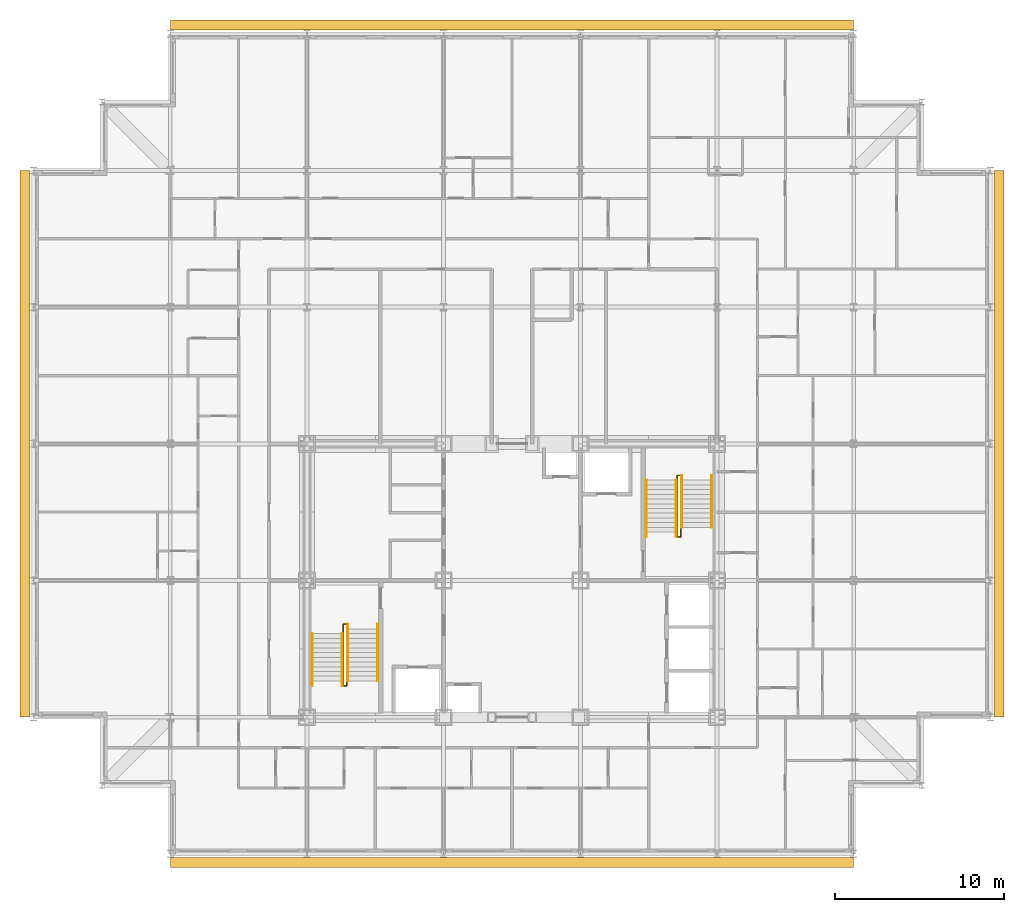
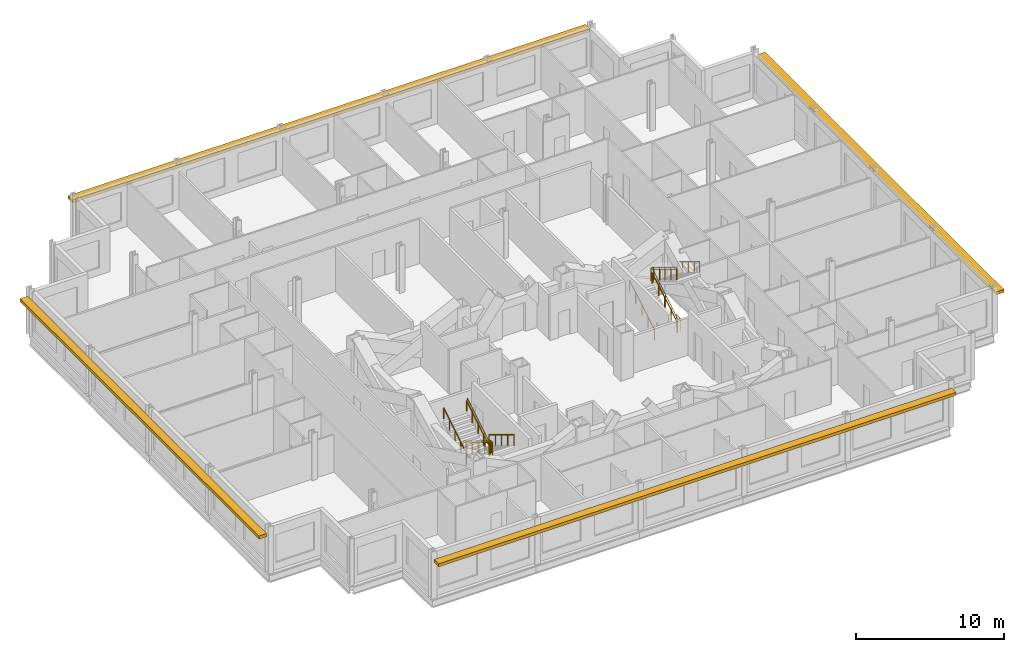
# One storey, part 15 of 15: 10 railings, 4 shading devices.
"""IFC4 building model written with IfcOpenShell, lengths in metres."""

from ifc_helpers import new_model, si_unit, direction, frame, origin, origin_2d, place, context, subcontext, project, spatial, rectangle, circle, extrude, material, type_object, element, save


model = new_model("IFC4")

# Units and contexts
model_context = context("Model", 3, precision=1e-05, world=origin(), true_north=direction((0.0, 1.0)))
body_context = subcontext(model_context, "Body", "Model", "MODEL_VIEW")
ifc_project = project(units=[si_unit("LENGTHUNIT", "METRE"), si_unit("AREAUNIT", "SQUARE_METRE"), si_unit("VOLUMEUNIT", "CUBIC_METRE"), si_unit("PLANEANGLEUNIT", "RADIAN"), si_unit("MASSUNIT", "GRAM", prefix="KILO")], contexts=[model_context])

# Site, building, storey
site_placement = place(None, origin())
site = spatial("IfcSite", under=ifc_project, at=site_placement, CompositionType="ELEMENT")
building_placement = place(site_placement, origin())
building = spatial("IfcBuilding", under=site, at=building_placement, Name="Kopane Lantern Tower", CompositionType="ELEMENT")
storey_placement = place(building_placement, frame((0.0, 0.0, 250.199951171875)))
storey = spatial("IfcBuildingStorey", under=building, at=storey_placement, Name="L64", CompositionType="ELEMENT", Elevation=250.199951171875)

# Railings
ifc_material_1 = material(Name="Steel", Category="steel")
railing_type_1 = type_object("IfcRailingType", Name="STAIR GUARD 1100", PredefinedType="GUARDRAIL", material=ifc_material_1)
railing_1_placement = place(storey_placement, frame((18.35009765625, 29.25, 0.0)))
element("IfcRailing", 1, at=railing_1_placement, inside=storey, type_object=railing_type_1, Name="ST1 well guard L64", PredefinedType="GUARDRAIL", context=body_context, shape_type="SweptSolid", body=[
    extrude(circle(Radius=0.02392578125, at=origin_2d()), frame((0.0, 0.0, 1.076171875), z_axis=(0.0, 1.0, 0.0), x_axis=(-1.0, 0.0, 0.0)), (0.0, 0.0, 1.0), 0.56005859375),
    extrude(circle(Radius=0.02392578125, at=origin_2d()), frame((0.0, 0.56005859375, 1.076171875), z_axis=(1.0, 0.0, 0.0), x_axis=(0.0, 1.0, 0.0)), (0.0, 0.0, 1.0), 0.199951171875),
    extrude(circle(Radius=0.02392578125, at=origin_2d()), frame((0.199951171875, 0.56005859375, 1.076171875), z_axis=(0.0, -0.855368916264, 0.518019321155), x_axis=(1.0, 0.0, 0.0)), (0.0, 0.0, 1.0), 3.92822265625),
    extrude(circle(Radius=0.02392578125, at=origin_2d()), frame((0.199951171875, -2.800048828125, 3.11083984375), z_axis=(0.0, -1.0, 0.0), x_axis=(1.0, 0.0, 0.0)), (0.0, 0.0, 1.0), 0.280029296875),
    extrude(circle(Radius=0.02392578125, at=origin_2d()), frame((0.199951171875, -3.080078125, 3.11083984375), z_axis=(-1.0, 0.0, 0.0), x_axis=(0.0, -1.0, 0.0)), (0.0, 0.0, 1.0), 0.199951171875),
    extrude(circle(Radius=0.02392578125, at=origin_2d()), frame((0.0, -3.080078125, 3.11083984375), z_axis=(0.0, 0.855379917629, 0.518001154937), x_axis=(-1.0, 0.0, 0.0)), (0.0, 0.0, 1.0), 3.600830078125),
    extrude(circle(Radius=0.02099609375, at=origin_2d()), origin(), (0.0, 0.0, 1.0), 1.052001953125),
    extrude(circle(Radius=0.02099609375, at=origin_2d()), frame((0.0, 0.56005859375, 0.0)), (0.0, 0.0, 1.0), 1.052001953125),
    extrude(circle(Radius=0.02099609375, at=origin_2d()), frame((0.199951171875, 0.56005859375, 0.0)), (0.0, 0.0, 1.0), 1.052001953125),
    extrude(circle(Radius=0.02099609375, at=origin_2d()), frame((0.199951171875, -0.280029296875, 0.5087890625)), (0.0, 0.0, 1.0), 1.052001953125),
    extrude(circle(Radius=0.02099609375, at=origin_2d()), frame((0.199951171875, -1.1201171875, 1.017578125)), (0.0, 0.0, 1.0), 1.052001953125),
    extrude(circle(Radius=0.02099609375, at=origin_2d()), frame((0.199951171875, -1.9599609375, 1.526123046875)), (0.0, 0.0, 1.0), 1.052001953125),
    extrude(circle(Radius=0.02099609375, at=origin_2d()), frame((0.199951171875, -2.800048828125, 2.034912109375)), (0.0, 0.0, 1.0), 1.052001953125),
    extrude(circle(Radius=0.02099609375, at=origin_2d()), frame((0.199951171875, -3.080078125, 2.034912109375)), (0.0, 0.0, 1.0), 1.052001953125),
    extrude(circle(Radius=0.02099609375, at=origin_2d()), frame((0.0, -3.080078125, 2.034912109375)), (0.0, 0.0, 1.0), 1.052001953125),
    extrude(circle(Radius=0.02099609375, at=origin_2d()), frame((0.0, -2.31005859375, 2.501220703125)), (0.0, 0.0, 1.0), 1.052001953125),
    extrude(circle(Radius=0.02099609375, at=origin_2d()), frame((0.0, -1.5400390625, 2.967529296875)), (0.0, 0.0, 1.0), 1.052001953125),
    extrude(circle(Radius=0.02099609375, at=origin_2d()), frame((0.0, -0.77001953125, 3.433837890625)), (0.0, 0.0, 1.0), 1.052001953125),
    extrude(circle(Radius=0.02099609375, at=origin_2d()), frame((0.0, 0.0, 3.900146484375)), (0.0, 0.0, 1.0), 1.052001953125),
])
railing_2_placement = place(storey_placement, frame((38.35009765625, 35.550048828125, 0.0)))
element("IfcRailing", 2, at=railing_2_placement, inside=storey, type_object=railing_type_1, Name="ST2 well guard L64", PredefinedType="GUARDRAIL", context=body_context, shape_type="SweptSolid", body=[
    extrude(circle(Radius=0.02392578125, at=origin_2d()), frame((0.0, 0.0, 1.076171875), z_axis=(0.0, -1.0, 0.0), x_axis=(1.0, 0.0, 0.0)), (0.0, 0.0, 1.0), 0.56005859375),
    extrude(circle(Radius=0.02392578125, at=origin_2d()), frame((0.0, -0.56005859375, 1.076171875), z_axis=(-1.0, 0.0, 0.0), x_axis=(0.0, -1.0, 0.0)), (0.0, 0.0, 1.0), 0.2001953125),
    extrude(circle(Radius=0.02392578125, at=origin_2d()), frame((-0.2001953125, -0.56005859375, 1.076171875), z_axis=(0.0, 0.855368916264, 0.518019321155), x_axis=(-1.0, 0.0, 0.0)), (0.0, 0.0, 1.0), 3.92822265625),
    extrude(circle(Radius=0.02392578125, at=origin_2d()), frame((-0.2001953125, 2.800048828125, 3.11083984375), z_axis=(0.0, 1.0, 0.0), x_axis=(-1.0, 0.0, 0.0)), (0.0, 0.0, 1.0), 0.27978515625),
    extrude(circle(Radius=0.02392578125, at=origin_2d()), frame((-0.2001953125, 3.079833984375, 3.11083984375), z_axis=(1.0, 0.0, 0.0), x_axis=(0.0, 1.0, 0.0)), (0.0, 0.0, 1.0), 0.2001953125),
    extrude(circle(Radius=0.02392578125, at=origin_2d()), frame((0.0, 3.079833984375, 3.11083984375), z_axis=(0.0, -0.855361723277, 0.518031198243), x_axis=(1.0, 0.0, 0.0)), (0.0, 0.0, 1.0), 3.6005859375),
    extrude(circle(Radius=0.02099609375, at=origin_2d()), origin(), (0.0, 0.0, 1.0), 1.052001953125),
    extrude(circle(Radius=0.02099609375, at=origin_2d()), frame((0.0, -0.56005859375, 0.0)), (0.0, 0.0, 1.0), 1.052001953125),
    extrude(circle(Radius=0.02099609375, at=origin_2d()), frame((-0.2001953125, -0.56005859375, 0.0)), (0.0, 0.0, 1.0), 1.052001953125),
    extrude(circle(Radius=0.02099609375, at=origin_2d()), frame((-0.2001953125, 0.280029296875, 0.5087890625)), (0.0, 0.0, 1.0), 1.052001953125),
    extrude(circle(Radius=0.02099609375, at=origin_2d()), frame((-0.2001953125, 1.1201171875, 1.017578125)), (0.0, 0.0, 1.0), 1.052001953125),
    extrude(circle(Radius=0.02099609375, at=origin_2d()), frame((-0.2001953125, 1.9599609375, 1.526123046875)), (0.0, 0.0, 1.0), 1.052001953125),
    extrude(circle(Radius=0.02099609375, at=origin_2d()), frame((-0.2001953125, 2.800048828125, 2.034912109375)), (0.0, 0.0, 1.0), 1.052001953125),
    extrude(circle(Radius=0.02099609375, at=origin_2d()), frame((-0.2001953125, 3.079833984375, 2.034912109375)), (0.0, 0.0, 1.0), 1.052001953125),
    extrude(circle(Radius=0.02099609375, at=origin_2d()), frame((0.0, 3.079833984375, 2.034912109375)), (0.0, 0.0, 1.0), 1.052001953125),
    extrude(circle(Radius=0.02099609375, at=origin_2d()), frame((0.0, 2.309814453125, 2.501220703125)), (0.0, 0.0, 1.0), 1.052001953125),
    extrude(circle(Radius=0.02099609375, at=origin_2d()), frame((0.0, 1.5400390625, 2.967529296875)), (0.0, 0.0, 1.0), 1.052001953125),
    extrude(circle(Radius=0.02099609375, at=origin_2d()), frame((0.0, 0.77001953125, 3.433837890625)), (0.0, 0.0, 1.0), 1.052001953125),
    extrude(circle(Radius=0.02099609375, at=origin_2d()), frame((0.0, 0.0, 3.900146484375)), (0.0, 0.0, 1.0), 1.052001953125),
])
ifc_material_2 = material(Name="Steel", Category="steel")
railing_type_2 = type_object("IfcRailingType", Name="STAIR HANDRAIL 900", PredefinedType="HANDRAIL", material=ifc_material_2)
for number, where, name in (
    (3, (20.389892578125, 29.81005859375, 0.0), "ST1 handrail L64 flight 1"),
    (4, (18.610107421875, 29.81005859375, 0.0), "ST1 handrail L64 flight 1"),
):
    element("IfcRailing", number, at=place(storey_placement, frame(where)), inside=storey, type_object=railing_type_2, Name=name, PredefinedType="HANDRAIL", context=body_context, shape_type="SweptSolid", body=[
        extrude(circle(Radius=0.02392578125, at=origin_2d()), frame((0.0, 0.0, 0.8759765625), z_axis=(0.0, -0.855368916264, 0.518019321155), x_axis=(1.0, 0.0, 0.0)), (0.0, 0.0, 1.0), 3.92822265625),
        extrude(circle(Radius=0.02099609375, at=origin_2d()), origin(), (0.0, 0.0, 1.0), 0.851806640625),
        extrude(circle(Radius=0.02099609375, at=origin_2d()), frame((0.0, -0.840087890625, 0.5087890625)), (0.0, 0.0, 1.0), 0.851806640625),
        extrude(circle(Radius=0.02099609375, at=origin_2d()), frame((0.0, -1.68017578125, 1.017578125)), (0.0, 0.0, 1.0), 0.851806640625),
        extrude(circle(Radius=0.02099609375, at=origin_2d()), frame((0.0, -2.52001953125, 1.526123046875)), (0.0, 0.0, 1.0), 0.851806640625),
        extrude(circle(Radius=0.02099609375, at=origin_2d()), frame((0.0, -3.360107421875, 2.034912109375)), (0.0, 0.0, 1.0), 0.851806640625),
    ])
for number, where, name in (
    (5, (16.510009765625, 26.169921875, 2.034912109375), "ST1 handrail L64 flight 2"),
    (6, (18.2900390625, 26.169921875, 2.034912109375), "ST1 handrail L64 flight 2"),
):
    element("IfcRailing", number, at=place(storey_placement, frame(where)), inside=storey, type_object=railing_type_2, Name=name, PredefinedType="HANDRAIL", context=body_context, shape_type="SweptSolid", body=[
        extrude(circle(Radius=0.02392578125, at=origin_2d()), frame((0.0, 0.0, 0.8759765625), z_axis=(0.0, 0.855379917629, 0.518001154937), x_axis=(-1.0, 0.0, 0.0)), (0.0, 0.0, 1.0), 3.600830078125),
        extrude(circle(Radius=0.02099609375, at=origin_2d()), origin(), (0.0, 0.0, 1.0), 0.851806640625),
        extrude(circle(Radius=0.02099609375, at=origin_2d()), frame((0.0, 0.77001953125, 0.46630859375)), (0.0, 0.0, 1.0), 0.851806640625),
        extrude(circle(Radius=0.02099609375, at=origin_2d()), frame((0.0, 1.5400390625, 0.9326171875)), (0.0, 0.0, 1.0), 0.851806640625),
        extrude(circle(Radius=0.02099609375, at=origin_2d()), frame((0.0, 2.31005859375, 1.39892578125)), (0.0, 0.0, 1.0), 0.851806640625),
        extrude(circle(Radius=0.02099609375, at=origin_2d()), frame((0.0, 3.080078125, 1.865234375)), (0.0, 0.0, 1.0), 0.851806640625),
    ])
for number, where, name in (
    (7, (36.31005859375, 34.989990234375, 0.0), "ST2 handrail L64 flight 1"),
    (8, (38.090087890625, 34.989990234375, 0.0), "ST2 handrail L64 flight 1"),
):
    element("IfcRailing", number, at=place(storey_placement, frame(where)), inside=storey, type_object=railing_type_2, Name=name, PredefinedType="HANDRAIL", context=body_context, shape_type="SweptSolid", body=[
        extrude(circle(Radius=0.02392578125, at=origin_2d()), frame((0.0, 0.0, 0.8759765625), z_axis=(0.0, 0.855368916264, 0.518019321155), x_axis=(-1.0, 0.0, 0.0)), (0.0, 0.0, 1.0), 3.92822265625),
        extrude(circle(Radius=0.02099609375, at=origin_2d()), origin(), (0.0, 0.0, 1.0), 0.851806640625),
        extrude(circle(Radius=0.02099609375, at=origin_2d()), frame((0.0, 0.840087890625, 0.5087890625)), (0.0, 0.0, 1.0), 0.851806640625),
        extrude(circle(Radius=0.02099609375, at=origin_2d()), frame((0.0, 1.68017578125, 1.017578125)), (0.0, 0.0, 1.0), 0.851806640625),
        extrude(circle(Radius=0.02099609375, at=origin_2d()), frame((0.0, 2.52001953125, 1.526123046875)), (0.0, 0.0, 1.0), 0.851806640625),
        extrude(circle(Radius=0.02099609375, at=origin_2d()), frame((0.0, 3.360107421875, 2.034912109375)), (0.0, 0.0, 1.0), 0.851806640625),
    ])
for number, where, name in (
    (9, (40.18994140625, 38.6298828125, 2.034912109375), "ST2 handrail L64 flight 2"),
    (10, (38.409912109375, 38.6298828125, 2.034912109375), "ST2 handrail L64 flight 2"),
):
    element("IfcRailing", number, at=place(storey_placement, frame(where)), inside=storey, type_object=railing_type_2, Name=name, PredefinedType="HANDRAIL", context=body_context, shape_type="SweptSolid", body=[
        extrude(circle(Radius=0.02392578125, at=origin_2d()), frame((0.0, 0.0, 0.8759765625), z_axis=(0.0, -0.855361723277, 0.518031198243), x_axis=(1.0, 0.0, 0.0)), (0.0, 0.0, 1.0), 3.6005859375),
        extrude(circle(Radius=0.02099609375, at=origin_2d()), origin(), (0.0, 0.0, 1.0), 0.851806640625),
        extrude(circle(Radius=0.02099609375, at=origin_2d()), frame((0.0, -0.77001953125, 0.46630859375)), (0.0, 0.0, 1.0), 0.851806640625),
        extrude(circle(Radius=0.02099609375, at=origin_2d()), frame((0.0, -1.5400390625, 0.9326171875)), (0.0, 0.0, 1.0), 0.851806640625),
        extrude(circle(Radius=0.02099609375, at=origin_2d()), frame((0.0, -2.309814453125, 1.39892578125)), (0.0, 0.0, 1.0), 0.851806640625),
        extrude(circle(Radius=0.02099609375, at=origin_2d()), frame((0.0, -3.079833984375, 1.865234375)), (0.0, 0.0, 1.0), 0.851806640625),
    ])

# Shading devices
ifc_material_3 = material(Name="Terracotta rainscreen on light steel framing", Category="masonry")
shading_device_type = type_object("IfcShadingDeviceType", Name="SUNSHADE BAND SB1 600 TERRACOTTA", PredefinedType="USERDEFINED", material=ifc_material_3)
shading_device_1_placement = place(storey_placement, frame((28.35009765625, 15.681640625, 3.0), z_axis=(0.0, 0.0, 1.0), x_axis=(1.0, 0.0, 0.0)))
element("IfcShadingDevice", 11, at=shading_device_1_placement, inside=storey, type_object=shading_device_type, Name="Sunshade band S L64", ObjectType="SUNSHADE BAND", PredefinedType="USERDEFINED", context=body_context, shape_type="SweptSolid", body=[
    extrude(rectangle(XDim=40.5, YDim=0.60009765625, at=origin_2d()), origin(), (0.0, 0.0, 1.0), 0.25),
])
shading_device_2_placement = place(storey_placement, frame((57.2060546875, 40.5, 3.0), z_axis=(0.0, 0.0, 1.0), x_axis=(0.0, 1.0, 0.0)))
element("IfcShadingDevice", 12, at=shading_device_2_placement, inside=storey, type_object=shading_device_type, Name="Sunshade band E L64", ObjectType="SUNSHADE BAND", PredefinedType="USERDEFINED", context=body_context, shape_type="SweptSolid", body=[
    extrude(rectangle(XDim=32.39990234375, YDim=0.60009765625, at=origin_2d()), origin(), (0.0, 0.0, 1.0), 0.25),
])
shading_device_3_placement = place(storey_placement, frame((28.35009765625, 65.318359375, 3.0), z_axis=(0.0, 0.0, 1.0), x_axis=(-1.0, 0.0, 0.0)))
element("IfcShadingDevice", 13, at=shading_device_3_placement, inside=storey, type_object=shading_device_type, Name="Sunshade band N L64", ObjectType="SUNSHADE BAND", PredefinedType="USERDEFINED", context=body_context, shape_type="SweptSolid", body=[
    extrude(rectangle(XDim=40.5, YDim=0.60009765625, at=origin_2d()), origin(), (0.0, 0.0, 1.0), 0.25),
])
shading_device_4_placement = place(storey_placement, frame((-0.506103515625, 40.5, 3.0), z_axis=(0.0, 0.0, 1.0), x_axis=(0.0, -1.0, 0.0)))
element("IfcShadingDevice", 14, at=shading_device_4_placement, inside=storey, type_object=shading_device_type, Name="Sunshade band W L64", ObjectType="SUNSHADE BAND", PredefinedType="USERDEFINED", context=body_context, shape_type="SweptSolid", body=[
    extrude(rectangle(XDim=32.39990234375, YDim=0.60009765625, at=origin_2d()), origin(), (0.0, 0.0, 1.0), 0.25),
])

save(model, "model.ifc")
